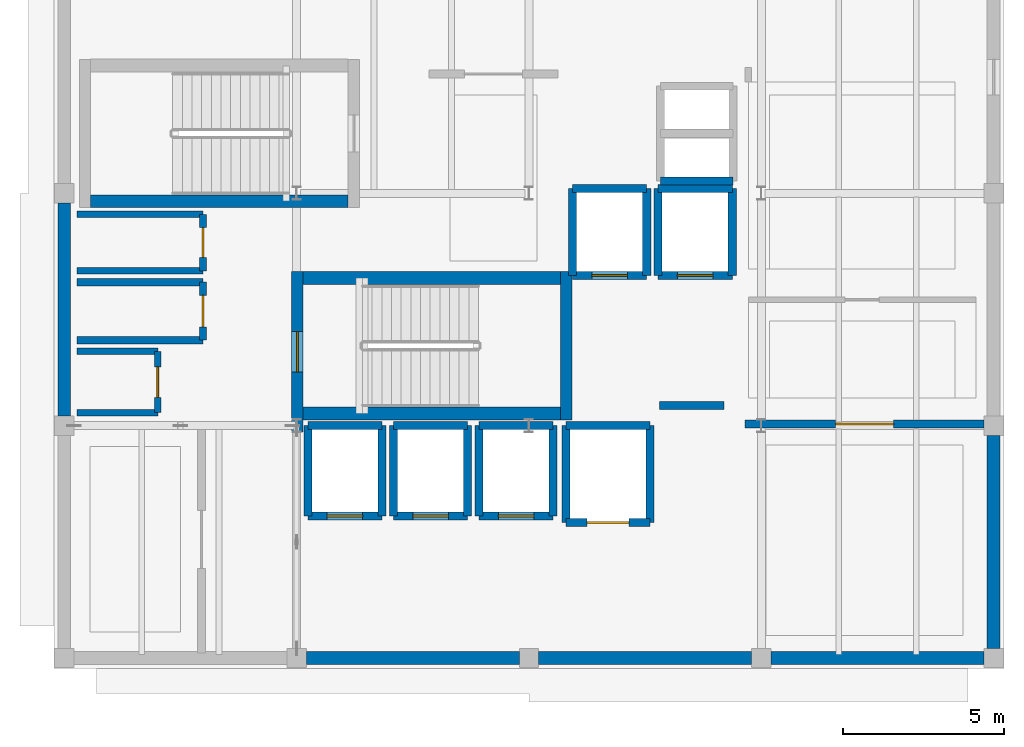
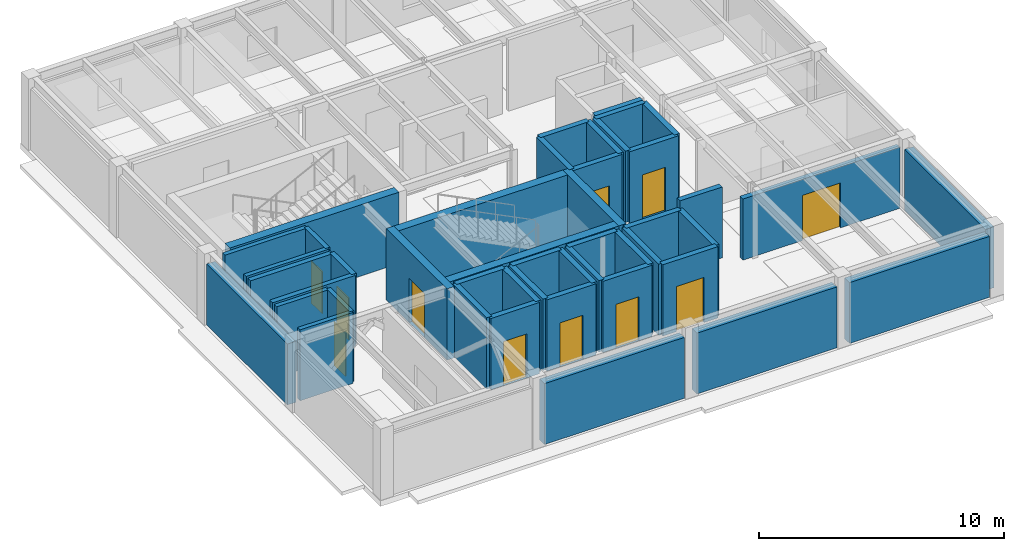
# One storey, part 4 of 8: 46 walls, 11 doors, 11 openings.
"""IFC4 building model written with IfcOpenShell, lengths in metres."""

from ifc_helpers import new_model, si_unit, direction, frame, frame_2d, origin, place, context, subcontext, project, spatial, rectangle, extrude, material, layer, layer_set, type_object, element, fill, save


model = new_model("IFC4")

# Units and contexts
model_context = context("Model", 3, precision=1e-05, world=origin(), true_north=direction((0.0, 1.0)))
body_context = subcontext(model_context, "Body", "Model", "MODEL_VIEW")
ifc_project = project(units=[si_unit("LENGTHUNIT", "METRE"), si_unit("AREAUNIT", "SQUARE_METRE"), si_unit("VOLUMEUNIT", "CUBIC_METRE"), si_unit("PLANEANGLEUNIT", "RADIAN"), si_unit("MASSUNIT", "GRAM", prefix="KILO")], contexts=[model_context])

# Site, building, storey
site_placement = place(None, origin())
site = spatial("IfcSite", under=ifc_project, at=site_placement, CompositionType="ELEMENT")
building_placement = place(site_placement, origin())
building = spatial("IfcBuilding", under=site, at=building_placement, Name="Kandorven Conservatory and Botanical Research Centre", CompositionType="ELEMENT")
storey_placement = place(building_placement, frame((0.0, 0.0, 32.699951171875)))
storey = spatial("IfcBuildingStorey", under=building, at=storey_placement, Name="L08", CompositionType="ELEMENT", Elevation=32.699951171875)

# Walls
ifc_material_1 = material(Name="Concrete C40/50 (M50)", Category="concrete")
ifc_layer_1 = layer(ifc_material_1, 0.39990234375)
ifc_layer_set_1 = layer_set([ifc_layer_1], Name="Concrete C40/50 (M50)")
wall_type_1 = type_object("IfcWallType", Name="Wall_CW-RC-1", PredefinedType="SHEAR", material=ifc_layer_set_1)
for number, where, z_axis, x_axis, name in (
    (1, (13.39990234375, 13.574951171875, 0.0), (0.0, 0.0, 1.0), (1.0, 0.0, 0.0), "Core stair shear wall CW-RC-1 ST-T1 L08 side A"),
    (2, (13.39990234375, 17.77490234375, 0.0), (0.0, 0.0, 1.0), (1.0, 0.0, 0.0), "Core stair shear wall CW-RC-1 ST-T1 L08 side B"),
    (3, (14.800048828125, 20.155029296875, 0.0), (0.0, 0.0, 1.0), (-1.0, 0.0, 0.0), "Core stair shear wall CW-RC-1 ST-T2 L08 side B"),
):
    element("IfcWall", number, at=place(storey_placement, frame(where, z_axis=z_axis, x_axis=x_axis)), inside=storey, type_object=wall_type_1, Name=name, PredefinedType="SHEAR", context=body_context, shape_type="SweptSolid", body=[
        extrude(rectangle(XDim=7.97998046875, YDim=0.39990234375, at=frame_2d((3.989990234375, 0.0))), origin(), (0.0, 0.0, 1.0), 3.56005859375),
    ])

# Wall, opening, door
ifc_material_2 = material(Name="Concrete C40/50 (M50)", Category="concrete")
ifc_layer_2 = layer(ifc_material_2, 0.35009765625)
ifc_layer_set_2 = layer_set([ifc_layer_2], Name="Concrete C40/50 (M50)")
wall_type_2 = type_object("IfcWallType", Name="Wall_CW-RC-2", PredefinedType="SHEAR", material=ifc_layer_set_2)
wall_1_placement = place(storey_placement, frame((13.22509765625, 13.0, 0.0), z_axis=(0.0, 0.0, 1.0), x_axis=(0.0, 1.0, 0.0)))
wall_1 = element("IfcWall", 4, at=wall_1_placement, inside=storey, type_object=wall_type_2, Name="Core stair shear wall CW-RC-2 ST-T1 L08 entry", PredefinedType="SHEAR", context=body_context, shape_type="SweptSolid", body=[
    extrude(rectangle(XDim=4.969970703125, YDim=0.35009765625, at=frame_2d((2.48486328125, 0.0))), origin(), (0.0, 0.0, 1.0), 3.56005859375),
])
opening_1_placement = place(wall_1_placement, frame((1.860107421875, 0.0, 0.0)))
opening_1 = element("IfcOpeningElement", 5, at=opening_1_placement, cuts=wall_1, Name="Opening FD-1", PredefinedType="OPENING", context=body_context, shape_type="SweptSolid", body=[
    extrude(rectangle(XDim=1.25, YDim=2.199951171875, at=frame_2d((0.625, 1.10009765625))), frame((0.0, 0.18505859375, 0.0), z_axis=(0.0, -1.0, 0.0), x_axis=(1.0, 0.0, 0.0)), (0.0, 0.0, 1.0), 0.3701171875),
])
ifc_material_3 = material(Name="Galvanised hollow steel fire door assembly", Category="steel")
door_type_1 = type_object("IfcDoorType", Name="Door_FD-1", OperationType="NOTDEFINED", PredefinedType="DOOR", material=ifc_material_3)
door_1_placement = place(opening_1_placement, origin())
door_1 = element("IfcDoor", 6, at=door_1_placement, inside=storey, type_object=door_type_1, Name="Exit stair fire door FD-1 ST-T1 L08", OperationType="SINGLE_SWING_LEFT", OverallHeight=2.199951171875, OverallWidth=1.25, PredefinedType="DOOR", context=body_context, shape_type="SweptSolid", body=[
    extrude(rectangle(XDim=1.25, YDim=2.199951171875, at=frame_2d((0.625, 1.10009765625))), frame((0.0, 0.02490234375, 0.0), z_axis=(0.0, -1.0, 0.0), x_axis=(1.0, 0.0, 0.0)), (0.0, 0.0, 1.0), 0.050048828125),
])
fill(opening_1, door_1)

# Wall
wall_2_placement = place(storey_placement, frame((21.554931640625, 13.3798828125, 0.0), z_axis=(0.0, 0.0, 1.0), x_axis=(0.0, 1.0, 0.0)))
element("IfcWall", 7, at=wall_2_placement, inside=storey, type_object=wall_type_2, Name="Core stair shear wall CW-RC-2 ST-T1 L08 far", PredefinedType="SHEAR", context=body_context, shape_type="SweptSolid", body=[
    extrude(rectangle(XDim=4.590087890625, YDim=0.35009765625, at=frame_2d((2.294921875, 0.0))), origin(), (0.0, 0.0, 1.0), 3.56005859375),
])

# Wall, opening, door
wall_3_placement = place(storey_placement, frame((21.75, 17.85009765625, 0.0), z_axis=(0.0, 0.0, 1.0), x_axis=(1.0, 0.0, 0.0)))
wall_3 = element("IfcWall", 8, at=wall_3_placement, inside=storey, type_object=wall_type_2, Name="Lift shaft wall FFL-1 L08 S", PredefinedType="SHEAR", context=body_context, shape_type="SweptSolid", body=[
    extrude(rectangle(XDim=2.300048828125, YDim=0.25, at=frame_2d((1.14990234375, 0.0))), origin(), (0.0, 0.0, 1.0), 3.56005859375),
])
opening_2_placement = place(wall_3_placement, frame((0.60009765625, 0.0, 0.0)))
opening_2 = element("IfcOpeningElement", 9, at=opening_2_placement, cuts=wall_3, Name="Opening LD-01", PredefinedType="OPENING", context=body_context, shape_type="SweptSolid", body=[
    extrude(rectangle(XDim=1.10009765625, YDim=2.199951171875, at=frame_2d((0.550048828125, 1.10009765625))), frame((0.0, 0.135009765625, 0.0), z_axis=(0.0, -1.0, 0.0), x_axis=(1.0, 0.0, 0.0)), (0.0, 0.0, 1.0), 0.27001953125),
])
ifc_material_4 = material(Name="Anodised aluminium sliding landing door", Category="aluminium")
door_type_2 = type_object("IfcDoorType", Name="Door_LD-01", OperationType="DOUBLE_DOOR_SLIDING", PredefinedType="DOOR", material=ifc_material_4)
door_2_placement = place(opening_2_placement, origin())
door_2 = element("IfcDoor", 10, at=door_2_placement, inside=storey, type_object=door_type_2, Name="Lift landing sliding door LD-01 (FFL-1 L08)", OperationType="DOUBLE_DOOR_SLIDING", OverallHeight=2.199951171875, OverallWidth=1.10009765625, PredefinedType="DOOR", context=body_context, shape_type="SweptSolid", body=[
    extrude(rectangle(XDim=1.10009765625, YDim=2.199951171875, at=frame_2d((0.550048828125, 1.10009765625))), frame((0.0, 0.02490234375, 0.0), z_axis=(0.0, -1.0, 0.0), x_axis=(1.0, 0.0, 0.0)), (0.0, 0.0, 1.0), 0.050048828125),
])
fill(opening_2, door_2)

# Walls
wall_4_placement = place(storey_placement, frame((21.75, 20.550048828125, 0.0), z_axis=(0.0, 0.0, 1.0), x_axis=(1.0, 0.0, 0.0)))
element("IfcWall", 11, at=wall_4_placement, inside=storey, type_object=wall_type_2, Name="Lift shaft wall FFL-1 L08 N", PredefinedType="SHEAR", context=body_context, shape_type="SweptSolid", body=[
    extrude(rectangle(XDim=2.300048828125, YDim=0.25, at=frame_2d((1.14990234375, 0.0))), origin(), (0.0, 0.0, 1.0), 3.56005859375),
])
for number, where, z_axis, x_axis, name in (
    (12, (21.75, 17.85009765625, 0.0), (0.0, 0.0, 1.0), (0.0, 1.0, 0.0), "Lift shaft wall FFL-1 L08 W"),
    (13, (24.050048828125, 17.85009765625, 0.0), (0.0, 0.0, 1.0), (0.0, 1.0, 0.0), "Lift shaft wall FFL-1 L08 E"),
):
    element("IfcWall", number, at=place(storey_placement, frame(where, z_axis=z_axis, x_axis=x_axis)), inside=storey, type_object=wall_type_2, Name=name, PredefinedType="SHEAR", context=body_context, shape_type="SweptSolid", body=[
        extrude(rectangle(XDim=2.699951171875, YDim=0.25, at=frame_2d((1.35009765625, 0.0))), origin(), (0.0, 0.0, 1.0), 3.56005859375),
    ])

# Wall, opening, door
wall_5_placement = place(storey_placement, frame((24.39990234375, 17.85009765625, 0.0), z_axis=(0.0, 0.0, 1.0), x_axis=(1.0, 0.0, 0.0)))
wall_5 = element("IfcWall", 14, at=wall_5_placement, inside=storey, type_object=wall_type_2, Name="Lift shaft wall FFL-2 L08 S", PredefinedType="SHEAR", context=body_context, shape_type="SweptSolid", body=[
    extrude(rectangle(XDim=2.300048828125, YDim=0.25, at=frame_2d((1.14990234375, 0.0))), origin(), (0.0, 0.0, 1.0), 3.56005859375),
])
opening_3_placement = place(wall_5_placement, frame((0.60009765625, 0.0, 0.0)))
opening_3 = element("IfcOpeningElement", 15, at=opening_3_placement, cuts=wall_5, Name="Opening LD-01", PredefinedType="OPENING", context=body_context, shape_type="SweptSolid", body=[
    extrude(rectangle(XDim=1.10009765625, YDim=2.199951171875, at=frame_2d((0.550048828125, 1.10009765625))), frame((0.0, 0.135009765625, 0.0), z_axis=(0.0, -1.0, 0.0), x_axis=(1.0, 0.0, 0.0)), (0.0, 0.0, 1.0), 0.27001953125),
])
door_3_placement = place(opening_3_placement, origin())
door_3 = element("IfcDoor", 16, at=door_3_placement, inside=storey, type_object=door_type_2, Name="Lift landing sliding door LD-01 (FFL-2 L08)", OperationType="DOUBLE_DOOR_SLIDING", OverallHeight=2.199951171875, OverallWidth=1.10009765625, PredefinedType="DOOR", context=body_context, shape_type="SweptSolid", body=[
    extrude(rectangle(XDim=1.10009765625, YDim=2.199951171875, at=frame_2d((0.550048828125, 1.10009765625))), frame((0.0, 0.02490234375, 0.0), z_axis=(0.0, -1.0, 0.0), x_axis=(1.0, 0.0, 0.0)), (0.0, 0.0, 1.0), 0.050048828125),
])
fill(opening_3, door_3)

# Walls
wall_6_placement = place(storey_placement, frame((24.39990234375, 20.550048828125, 0.0), z_axis=(0.0, 0.0, 1.0), x_axis=(1.0, 0.0, 0.0)))
element("IfcWall", 17, at=wall_6_placement, inside=storey, type_object=wall_type_2, Name="Lift shaft wall FFL-2 L08 N", PredefinedType="SHEAR", context=body_context, shape_type="SweptSolid", body=[
    extrude(rectangle(XDim=2.300048828125, YDim=0.25, at=frame_2d((1.14990234375, 0.0))), origin(), (0.0, 0.0, 1.0), 3.56005859375),
])
for number, where, z_axis, x_axis, name in (
    (18, (24.39990234375, 17.85009765625, 0.0), (0.0, 0.0, 1.0), (0.0, 1.0, 0.0), "Lift shaft wall FFL-2 L08 W"),
    (19, (26.699951171875, 17.85009765625, 0.0), (0.0, 0.0, 1.0), (0.0, 1.0, 0.0), "Lift shaft wall FFL-2 L08 E"),
):
    element("IfcWall", number, at=place(storey_placement, frame(where, z_axis=z_axis, x_axis=x_axis)), inside=storey, type_object=wall_type_2, Name=name, PredefinedType="SHEAR", context=body_context, shape_type="SweptSolid", body=[
        extrude(rectangle(XDim=2.699951171875, YDim=0.25, at=frame_2d((1.35009765625, 0.0))), origin(), (0.0, 0.0, 1.0), 3.56005859375),
    ])

# Wall, opening, door
wall_7_placement = place(storey_placement, frame((13.550048828125, 10.39990234375, 0.0), z_axis=(0.0, 0.0, 1.0), x_axis=(1.0, 0.0, 0.0)))
wall_7 = element("IfcWall", 20, at=wall_7_placement, inside=storey, type_object=wall_type_2, Name="Lift shaft wall PL-1 L08 S", PredefinedType="SHEAR", context=body_context, shape_type="SweptSolid", body=[
    extrude(rectangle(XDim=2.300048828125, YDim=0.25, at=frame_2d((1.14990234375, 0.0))), origin(), (0.0, 0.0, 1.0), 3.56005859375),
])
opening_4_placement = place(wall_7_placement, frame((0.60009765625, 0.0, 0.0)))
opening_4 = element("IfcOpeningElement", 21, at=opening_4_placement, cuts=wall_7, Name="Opening LD-01", PredefinedType="OPENING", context=body_context, shape_type="SweptSolid", body=[
    extrude(rectangle(XDim=1.10009765625, YDim=2.199951171875, at=frame_2d((0.550048828125, 1.10009765625))), frame((0.0, 0.135009765625, 0.0), z_axis=(0.0, -1.0, 0.0), x_axis=(1.0, 0.0, 0.0)), (0.0, 0.0, 1.0), 0.27001953125),
])
door_4_placement = place(opening_4_placement, origin())
door_4 = element("IfcDoor", 22, at=door_4_placement, inside=storey, type_object=door_type_2, Name="Lift landing sliding door LD-01 (PL-1 L08)", OperationType="DOUBLE_DOOR_SLIDING", OverallHeight=2.199951171875, OverallWidth=1.10009765625, PredefinedType="DOOR", context=body_context, shape_type="SweptSolid", body=[
    extrude(rectangle(XDim=1.10009765625, YDim=2.199951171875, at=frame_2d((0.550048828125, 1.10009765625))), frame((0.0, 0.02490234375, 0.0), z_axis=(0.0, -1.0, 0.0), x_axis=(1.0, 0.0, 0.0)), (0.0, 0.0, 1.0), 0.050048828125),
])
fill(opening_4, door_4)

# Walls
wall_8_placement = place(storey_placement, frame((13.550048828125, 13.199951171875, 0.0), z_axis=(0.0, 0.0, 1.0), x_axis=(1.0, 0.0, 0.0)))
element("IfcWall", 23, at=wall_8_placement, inside=storey, type_object=wall_type_2, Name="Lift shaft wall PL-1 L08 N", PredefinedType="SHEAR", context=body_context, shape_type="SweptSolid", body=[
    extrude(rectangle(XDim=2.300048828125, YDim=0.25, at=frame_2d((1.14990234375, 0.0))), origin(), (0.0, 0.0, 1.0), 3.56005859375),
])
for number, where, z_axis, x_axis, name in (
    (24, (13.550048828125, 10.39990234375, 0.0), (0.0, 0.0, 1.0), (0.0, 1.0, 0.0), "Lift shaft wall PL-1 L08 W"),
    (25, (15.85009765625, 10.39990234375, 0.0), (0.0, 0.0, 1.0), (0.0, 1.0, 0.0), "Lift shaft wall PL-1 L08 E"),
):
    element("IfcWall", number, at=place(storey_placement, frame(where, z_axis=z_axis, x_axis=x_axis)), inside=storey, type_object=wall_type_2, Name=name, PredefinedType="SHEAR", context=body_context, shape_type="SweptSolid", body=[
        extrude(rectangle(XDim=2.800048828125, YDim=0.25, at=frame_2d((1.39990234375, 0.0))), origin(), (0.0, 0.0, 1.0), 3.56005859375),
    ])

# Wall, opening, door
wall_9_placement = place(storey_placement, frame((16.199951171875, 10.39990234375, 0.0), z_axis=(0.0, 0.0, 1.0), x_axis=(1.0, 0.0, 0.0)))
wall_9 = element("IfcWall", 26, at=wall_9_placement, inside=storey, type_object=wall_type_2, Name="Lift shaft wall PL-2 L08 S", PredefinedType="SHEAR", context=body_context, shape_type="SweptSolid", body=[
    extrude(rectangle(XDim=2.300048828125, YDim=0.25, at=frame_2d((1.14990234375, 0.0))), origin(), (0.0, 0.0, 1.0), 3.56005859375),
])
opening_5_placement = place(wall_9_placement, frame((0.60009765625, 0.0, 0.0)))
opening_5 = element("IfcOpeningElement", 27, at=opening_5_placement, cuts=wall_9, Name="Opening LD-01", PredefinedType="OPENING", context=body_context, shape_type="SweptSolid", body=[
    extrude(rectangle(XDim=1.10009765625, YDim=2.199951171875, at=frame_2d((0.550048828125, 1.10009765625))), frame((0.0, 0.135009765625, 0.0), z_axis=(0.0, -1.0, 0.0), x_axis=(1.0, 0.0, 0.0)), (0.0, 0.0, 1.0), 0.27001953125),
])
door_5_placement = place(opening_5_placement, origin())
door_5 = element("IfcDoor", 28, at=door_5_placement, inside=storey, type_object=door_type_2, Name="Lift landing sliding door LD-01 (PL-2 L08)", OperationType="DOUBLE_DOOR_SLIDING", OverallHeight=2.199951171875, OverallWidth=1.10009765625, PredefinedType="DOOR", context=body_context, shape_type="SweptSolid", body=[
    extrude(rectangle(XDim=1.10009765625, YDim=2.199951171875, at=frame_2d((0.550048828125, 1.10009765625))), frame((0.0, 0.02490234375, 0.0), z_axis=(0.0, -1.0, 0.0), x_axis=(1.0, 0.0, 0.0)), (0.0, 0.0, 1.0), 0.050048828125),
])
fill(opening_5, door_5)

# Walls
wall_10_placement = place(storey_placement, frame((16.199951171875, 13.199951171875, 0.0), z_axis=(0.0, 0.0, 1.0), x_axis=(1.0, 0.0, 0.0)))
element("IfcWall", 29, at=wall_10_placement, inside=storey, type_object=wall_type_2, Name="Lift shaft wall PL-2 L08 N", PredefinedType="SHEAR", context=body_context, shape_type="SweptSolid", body=[
    extrude(rectangle(XDim=2.300048828125, YDim=0.25, at=frame_2d((1.14990234375, 0.0))), origin(), (0.0, 0.0, 1.0), 3.56005859375),
])
for number, where, z_axis, x_axis, name in (
    (30, (16.199951171875, 10.39990234375, 0.0), (0.0, 0.0, 1.0), (0.0, 1.0, 0.0), "Lift shaft wall PL-2 L08 W"),
    (31, (18.5, 10.39990234375, 0.0), (0.0, 0.0, 1.0), (0.0, 1.0, 0.0), "Lift shaft wall PL-2 L08 E"),
):
    element("IfcWall", number, at=place(storey_placement, frame(where, z_axis=z_axis, x_axis=x_axis)), inside=storey, type_object=wall_type_2, Name=name, PredefinedType="SHEAR", context=body_context, shape_type="SweptSolid", body=[
        extrude(rectangle(XDim=2.800048828125, YDim=0.25, at=frame_2d((1.39990234375, 0.0))), origin(), (0.0, 0.0, 1.0), 3.56005859375),
    ])

# Wall, opening, door
wall_11_placement = place(storey_placement, frame((18.85009765625, 10.39990234375, 0.0), z_axis=(0.0, 0.0, 1.0), x_axis=(1.0, 0.0, 0.0)))
wall_11 = element("IfcWall", 32, at=wall_11_placement, inside=storey, type_object=wall_type_2, Name="Lift shaft wall PL-3 L08 S", PredefinedType="SHEAR", context=body_context, shape_type="SweptSolid", body=[
    extrude(rectangle(XDim=2.2998046875, YDim=0.25, at=frame_2d((1.14990234375, 0.0))), origin(), (0.0, 0.0, 1.0), 3.56005859375),
])
opening_6_placement = place(wall_11_placement, frame((0.60009765625, 0.0, 0.0)))
opening_6 = element("IfcOpeningElement", 33, at=opening_6_placement, cuts=wall_11, Name="Opening LD-01", PredefinedType="OPENING", context=body_context, shape_type="SweptSolid", body=[
    extrude(rectangle(XDim=1.10009765625, YDim=2.199951171875, at=frame_2d((0.550048828125, 1.10009765625))), frame((0.0, 0.135009765625, 0.0), z_axis=(0.0, -1.0, 0.0), x_axis=(1.0, 0.0, 0.0)), (0.0, 0.0, 1.0), 0.27001953125),
])
door_6_placement = place(opening_6_placement, origin())
door_6 = element("IfcDoor", 34, at=door_6_placement, inside=storey, type_object=door_type_2, Name="Lift landing sliding door LD-01 (PL-3 L08)", OperationType="DOUBLE_DOOR_SLIDING", OverallHeight=2.199951171875, OverallWidth=1.10009765625, PredefinedType="DOOR", context=body_context, shape_type="SweptSolid", body=[
    extrude(rectangle(XDim=1.10009765625, YDim=2.199951171875, at=frame_2d((0.550048828125, 1.10009765625))), frame((0.0, 0.02490234375, 0.0), z_axis=(0.0, -1.0, 0.0), x_axis=(1.0, 0.0, 0.0)), (0.0, 0.0, 1.0), 0.050048828125),
])
fill(opening_6, door_6)

# Walls
wall_12_placement = place(storey_placement, frame((18.85009765625, 13.199951171875, 0.0), z_axis=(0.0, 0.0, 1.0), x_axis=(1.0, 0.0, 0.0)))
element("IfcWall", 35, at=wall_12_placement, inside=storey, type_object=wall_type_2, Name="Lift shaft wall PL-3 L08 N", PredefinedType="SHEAR", context=body_context, shape_type="SweptSolid", body=[
    extrude(rectangle(XDim=2.2998046875, YDim=0.25, at=frame_2d((1.14990234375, 0.0))), origin(), (0.0, 0.0, 1.0), 3.56005859375),
])
for number, where, z_axis, x_axis, name in (
    (36, (18.85009765625, 10.39990234375, 0.0), (0.0, 0.0, 1.0), (0.0, 1.0, 0.0), "Lift shaft wall PL-3 L08 W"),
    (37, (21.14990234375, 10.39990234375, 0.0), (0.0, 0.0, 1.0), (0.0, 1.0, 0.0), "Lift shaft wall PL-3 L08 E"),
):
    element("IfcWall", number, at=place(storey_placement, frame(where, z_axis=z_axis, x_axis=x_axis)), inside=storey, type_object=wall_type_2, Name=name, PredefinedType="SHEAR", context=body_context, shape_type="SweptSolid", body=[
        extrude(rectangle(XDim=2.800048828125, YDim=0.25, at=frame_2d((1.39990234375, 0.0))), origin(), (0.0, 0.0, 1.0), 3.56005859375),
    ])

# Wall, opening, door
wall_13_placement = place(storey_placement, frame((21.550048828125, 10.199951171875, 0.0), z_axis=(0.0, 0.0, 1.0), x_axis=(1.0, 0.0, 0.0)))
wall_13 = element("IfcWall", 38, at=wall_13_placement, inside=storey, type_object=wall_type_2, Name="Lift shaft wall GL-1 L08 S", PredefinedType="SHEAR", context=body_context, shape_type="SweptSolid", body=[
    extrude(rectangle(XDim=2.599853515625, YDim=0.25, at=frame_2d((1.2998046875, 0.0))), origin(), (0.0, 0.0, 1.0), 3.56005859375),
])
opening_7_placement = place(wall_13_placement, frame((0.64990234375, 0.0, 0.0)))
opening_7 = element("IfcOpeningElement", 39, at=opening_7_placement, cuts=wall_13, Name="Opening LD-02", PredefinedType="OPENING", context=body_context, shape_type="SweptSolid", body=[
    extrude(rectangle(XDim=1.300048828125, YDim=2.25, at=frame_2d((0.64990234375, 1.125))), frame((0.0, 0.135009765625, 0.0), z_axis=(0.0, -1.0, 0.0), x_axis=(1.0, 0.0, 0.0)), (0.0, 0.0, 1.0), 0.27001953125),
])
ifc_material_5 = material(Name="Anodised aluminium sliding landing door", Category="aluminium")
door_type_3 = type_object("IfcDoorType", Name="Door_LD-02", OperationType="DOUBLE_DOOR_SLIDING", PredefinedType="DOOR", material=ifc_material_5)
door_7_placement = place(opening_7_placement, origin())
door_7 = element("IfcDoor", 40, at=door_7_placement, inside=storey, type_object=door_type_3, Name="Lift landing sliding door LD-02 (GL-1 L08)", OperationType="DOUBLE_DOOR_SLIDING", OverallHeight=2.25, OverallWidth=1.300048828125, PredefinedType="DOOR", context=body_context, shape_type="SweptSolid", body=[
    extrude(rectangle(XDim=1.300048828125, YDim=2.25, at=frame_2d((0.64990234375, 1.125))), frame((0.0, 0.02490234375, 0.0), z_axis=(0.0, -1.0, 0.0), x_axis=(1.0, 0.0, 0.0)), (0.0, 0.0, 1.0), 0.050048828125),
])
fill(opening_7, door_7)

# Walls
wall_14_placement = place(storey_placement, frame((21.550048828125, 13.199951171875, 0.0), z_axis=(0.0, 0.0, 1.0), x_axis=(1.0, 0.0, 0.0)))
element("IfcWall", 41, at=wall_14_placement, inside=storey, type_object=wall_type_2, Name="Lift shaft wall GL-1 L08 N", PredefinedType="SHEAR", context=body_context, shape_type="SweptSolid", body=[
    extrude(rectangle(XDim=2.599853515625, YDim=0.25, at=frame_2d((1.2998046875, 0.0))), origin(), (0.0, 0.0, 1.0), 3.56005859375),
])
for number, where, z_axis, x_axis, name in (
    (42, (21.550048828125, 10.199951171875, 0.0), (0.0, 0.0, 1.0), (0.0, 1.0, 0.0), "Lift shaft wall GL-1 L08 W"),
    (43, (24.14990234375, 10.199951171875, 0.0), (0.0, 0.0, 1.0), (0.0, 1.0, 0.0), "Lift shaft wall GL-1 L08 E"),
):
    element("IfcWall", number, at=place(storey_placement, frame(where, z_axis=z_axis, x_axis=x_axis)), inside=storey, type_object=wall_type_2, Name=name, PredefinedType="SHEAR", context=body_context, shape_type="SweptSolid", body=[
        extrude(rectangle(XDim=3.0, YDim=0.25, at=frame_2d((1.5, 0.0))), origin(), (0.0, 0.0, 1.0), 3.56005859375),
    ])
wall_15_placement = place(storey_placement, frame((24.47998046875, 20.780029296875, 0.0), z_axis=(0.0, 0.0, 1.0), x_axis=(1.0, 0.0, 0.0)))
element("IfcWall", 44, at=wall_15_placement, inside=storey, type_object=wall_type_2, Name="Core MEP riser shaft wall CW-RC-2 L08 S", PredefinedType="SHEAR", context=body_context, shape_type="SweptSolid", body=[
    extrude(rectangle(XDim=2.239990234375, YDim=0.239990234375, at=frame_2d((1.1201171875, 0.0))), origin(), (0.0, 0.0, 1.0), 3.56005859375),
])
ifc_material_6 = material(Name="Concrete C40/50 (M50)", Category="concrete")
ifc_layer_3 = layer(ifc_material_6, 0.39990234375)
ifc_layer_set_3 = layer_set([ifc_layer_3], Name="Concrete C40/50 (M50)")
wall_type_3 = type_object("IfcWallType", Name="Wall_EW-HB-01", PredefinedType="STANDARD", material=ifc_layer_set_3)
for number, where, z_axis, x_axis, name in (
    (45, (13.5, 6.0, 0.0), (0.0, 0.0, 1.0), (1.0, 0.0, 0.0), "Tower concrete facade wall EW-HB-01 S L08"),
    (46, (20.699951171875, 6.0, 0.0), (0.0, 0.0, 1.0), (1.0, 0.0, 0.0), "Tower concrete facade wall EW-HB-01 S L08"),
    (47, (27.89990234375, 6.0, 0.0), (0.0, 0.0, 1.0), (1.0, 0.0, 0.0), "Tower concrete facade wall EW-HB-01 S L08"),
    (48, (6.0, 13.5, 0.0), (0.0, 0.0, 1.0), (0.0, 1.0, 0.0), "Tower concrete facade wall EW-HB-01 W L08"),
):
    element("IfcWall", number, at=place(storey_placement, frame(where, z_axis=z_axis, x_axis=x_axis)), inside=storey, type_object=wall_type_3, Name=name, PredefinedType="STANDARD", context=body_context, shape_type="SweptSolid", body=[
        extrude(rectangle(XDim=6.60009765625, YDim=0.39990234375, at=frame_2d((3.300048828125, 0.0))), origin(), (0.0, 0.0, 1.0), 3.0400390625),
    ])
wall_16_placement = place(storey_placement, frame((34.800048828125, 6.300048828125, 0.0), z_axis=(0.0, 0.0, 1.0), x_axis=(0.0, 1.0, 0.0)))
element("IfcWall", 49, at=wall_16_placement, inside=storey, type_object=wall_type_3, Name="Tower concrete facade wall EW-HB-01 E L08", PredefinedType="STANDARD", context=body_context, shape_type="SweptSolid", body=[
    extrude(rectangle(XDim=6.599853515625, YDim=0.39990234375, at=frame_2d((3.2998046875, 0.0))), origin(), (0.0, 0.0, 1.0), 3.0400390625),
])
ifc_material_7 = material(Name="Concrete C32/40 (M40)", Category="concrete")
ifc_layer_4 = layer(ifc_material_7, 0.25)
ifc_layer_set_4 = layer_set([ifc_layer_4], Name="Concrete C32/40 (M40)")
wall_type_4 = type_object("IfcWallType", Name="Wall_IW-FR-1", PredefinedType="SOLIDWALL", material=ifc_layer_set_4)
wall_17_placement = place(storey_placement, frame((24.449951171875, 13.820068359375, 0.0), z_axis=(0.0, 0.0, 1.0), x_axis=(1.0, 0.0, 0.0)))
element("IfcWall", 50, at=wall_17_placement, inside=storey, type_object=wall_type_4, Name="Interior fire partition wall IW-FR-1 (Firefighting Lift Lobby L08)", PredefinedType="SOLIDWALL", context=body_context, shape_type="SweptSolid", body=[
    extrude(rectangle(XDim=2.0, YDim=0.25, at=frame_2d((1.0, 0.0))), origin(), (0.0, 0.0, 1.0), 3.5400390625),
])

# Wall, opening, door
wall_18_placement = place(storey_placement, frame((27.10009765625, 13.25, 0.0), z_axis=(0.0, 0.0, 1.0), x_axis=(1.0, 0.0, 0.0)))
wall_18 = element("IfcWall", 51, at=wall_18_placement, inside=storey, type_object=wall_type_4, Name="Interior fire partition wall IW-FR-1 (Herbarium Vascular Specimen Collection Vault L08)", PredefinedType="SOLIDWALL", context=body_context, shape_type="SweptSolid", body=[
    extrude(rectangle(XDim=7.39990234375, YDim=0.25, at=frame_2d((3.699951171875, 0.0))), origin(), (0.0, 0.0, 1.0), 3.050048828125),
])
opening_8_placement = place(wall_18_placement, frame((2.800048828125, 0.0, 0.0)))
opening_8 = element("IfcOpeningElement", 52, at=opening_8_placement, cuts=wall_18, Name="Opening FD-4", PredefinedType="OPENING", context=body_context, shape_type="SweptSolid", body=[
    extrude(rectangle(XDim=1.800048828125, YDim=2.25, at=frame_2d((0.89990234375, 1.125))), frame((0.0, 0.135009765625, 0.0), z_axis=(0.0, -1.0, 0.0), x_axis=(1.0, 0.0, 0.0)), (0.0, 0.0, 1.0), 0.27001953125),
])
ifc_material_8 = material(Name="Galvanised hollow steel fire door assembly", Category="steel")
door_type_4 = type_object("IfcDoorType", Name="Door_FD-4", OperationType="NOTDEFINED", PredefinedType="DOOR", material=ifc_material_8)
door_8_placement = place(opening_8_placement, origin())
door_8 = element("IfcDoor", 53, at=door_8_placement, inside=storey, type_object=door_type_4, Name="Interior door FD-4 to Herbarium Vascular Specimen Collection Vault L08", OperationType="DOUBLE_DOOR_SINGLE_SWING", OverallHeight=2.25, OverallWidth=1.800048828125, PredefinedType="DOOR", context=body_context, shape_type="SweptSolid", body=[
    extrude(rectangle(XDim=1.800048828125, YDim=2.25, at=frame_2d((0.89990234375, 1.125))), frame((0.0, 0.02490234375, 0.0), z_axis=(0.0, -1.0, 0.0), x_axis=(1.0, 0.0, 0.0)), (0.0, 0.0, 1.0), 0.050048828125),
])
fill(opening_8, door_8)

ifc_material_9 = material(Name="Autoclaved aerated concrete blockwork masonry", Category="masonry")
ifc_layer_5 = layer(ifc_material_9, 0.22998046875)
ifc_layer_set_5 = layer_set([ifc_layer_5], Name="Autoclaved aerated concrete blockwork masonry")
wall_type_5 = type_object("IfcWallType", Name="Wall_PW-PL-1", PredefinedType="PLUMBINGWALL", material=ifc_layer_set_5)
wall_19_placement = place(storey_placement, frame((10.300048828125, 15.85009765625, 0.0), z_axis=(0.0, 0.0, 1.0), x_axis=(0.0, 1.0, 0.0)))
wall_19 = element("IfcWall", 54, at=wall_19_placement, inside=storey, type_object=wall_type_5, Name="Interior partition wall PW-PL-1 (Staff Female WC L08)", PredefinedType="PLUMBINGWALL", context=body_context, shape_type="SweptSolid", body=[
    extrude(rectangle(XDim=1.7998046875, YDim=0.22998046875, at=frame_2d((0.89990234375, 0.0))), origin(), (0.0, 0.0, 1.0), 3.5400390625),
])
opening_9_placement = place(wall_19_placement, frame((0.409912109375, 0.0, 0.0)))
opening_9 = element("IfcOpeningElement", 55, at=opening_9_placement, cuts=wall_19, Name="Opening D-12", PredefinedType="OPENING", context=body_context, shape_type="SweptSolid", body=[
    extrude(rectangle(XDim=0.97998046875, YDim=2.10009765625, at=frame_2d((0.489990234375, 1.050048828125))), frame((0.0, 0.125, 0.0), z_axis=(0.0, -1.0, 0.0), x_axis=(1.0, 0.0, 0.0)), (0.0, 0.0, 1.0), 0.25),
])
ifc_material_10 = material(Name="Solid core acoustic teak-veneered timber leaf", Category="wood")
door_type_5 = type_object("IfcDoorType", Name="Door_D-12", OperationType="NOTDEFINED", PredefinedType="DOOR", material=ifc_material_10)
door_9_placement = place(opening_9_placement, origin())
door_9 = element("IfcDoor", 56, at=door_9_placement, inside=storey, type_object=door_type_5, Name="Interior door D-12 to Staff Female WC L08", OperationType="SINGLE_SWING_RIGHT", OverallHeight=2.10009765625, OverallWidth=0.97998046875, PredefinedType="DOOR", context=body_context, shape_type="SweptSolid", body=[
    extrude(rectangle(XDim=0.97998046875, YDim=2.10009765625, at=frame_2d((0.489990234375, 1.050048828125))), frame((0.0, 0.02490234375, 0.0), z_axis=(0.0, -1.0, 0.0), x_axis=(1.0, 0.0, 0.0)), (0.0, 0.0, 1.0), 0.050048828125),
])
fill(opening_9, door_9)

# Walls
for number, where, z_axis, x_axis, name in (
    (57, (6.39990234375, 15.85009765625, 0.0), (0.0, 0.0, 1.0), (1.0, 0.0, 0.0), "Sanitary enclosure wall PW-PL-1 (Staff Female WC L08 S)"),
    (58, (6.39990234375, 17.64990234375, 0.0), (0.0, 0.0, 1.0), (1.0, 0.0, 0.0), "Sanitary enclosure wall PW-PL-1 (Staff Female WC L08 N)"),
):
    element("IfcWall", number, at=place(storey_placement, frame(where, z_axis=z_axis, x_axis=x_axis)), inside=storey, type_object=wall_type_5, Name=name, PredefinedType="PLUMBINGWALL", context=body_context, shape_type="SweptSolid", body=[
        extrude(rectangle(XDim=3.900146484375, YDim=0.22998046875, at=frame_2d((1.9501953125, 0.0))), origin(), (0.0, 0.0, 1.0), 3.5400390625),
    ])

# Wall, opening, door
ifc_material_11 = material(Name="Autoclaved aerated concrete blockwork masonry", Category="masonry")
ifc_layer_6 = layer(ifc_material_11, 0.205078125)
ifc_layer_set_6 = layer_set([ifc_layer_6], Name="Autoclaved aerated concrete blockwork masonry")
wall_type_6 = type_object("IfcWallType", Name="Wall_PW-PL-2", PredefinedType="PLUMBINGWALL", material=ifc_layer_set_6)
wall_20_placement = place(storey_placement, frame((8.89990234375, 13.60009765625, 0.0), z_axis=(0.0, 0.0, 1.0), x_axis=(0.0, 1.0, 0.0)))
wall_20 = element("IfcWall", 59, at=wall_20_placement, inside=storey, type_object=wall_type_6, Name="Interior partition wall PW-PL-2 (Accessible WC L08)", PredefinedType="PLUMBINGWALL", context=body_context, shape_type="SweptSolid", body=[
    extrude(rectangle(XDim=1.89990234375, YDim=0.205078125, at=frame_2d((0.949951171875, 0.0))), origin(), (0.0, 0.0, 1.0), 3.5400390625),
])
opening_10_placement = place(wall_20_placement, frame((0.47509765625, 0.0, 0.0)))
opening_10 = element("IfcOpeningElement", 60, at=opening_10_placement, cuts=wall_20, Name="Opening D-01", PredefinedType="OPENING", context=body_context, shape_type="SweptSolid", body=[
    extrude(rectangle(XDim=0.949951171875, YDim=2.14990234375, at=frame_2d((0.47509765625, 1.074951171875))), frame((0.0, 0.112548828125, 0.0), z_axis=(0.0, -1.0, 0.0), x_axis=(1.0, 0.0, 0.0)), (0.0, 0.0, 1.0), 0.22509765625),
])
ifc_material_12 = material(Name="Solid core acoustic teak-veneered timber leaf", Category="wood")
door_type_6 = type_object("IfcDoorType", Name="Door_D-01", OperationType="NOTDEFINED", PredefinedType="DOOR", material=ifc_material_12)
door_10_placement = place(opening_10_placement, frame((0.949951171875, 0.0, 0.0), z_axis=(0.0, 0.0, 1.0), x_axis=(-1.0, 0.0, 0.0)))
door_10 = element("IfcDoor", 61, at=door_10_placement, inside=storey, type_object=door_type_6, Name="Interior door D-01 to Accessible WC L08", OperationType="SINGLE_SWING_LEFT", OverallHeight=2.14990234375, OverallWidth=0.949951171875, PredefinedType="DOOR", context=body_context, shape_type="SweptSolid", body=[
    extrude(rectangle(XDim=0.949951171875, YDim=2.14990234375, at=frame_2d((0.47509765625, 1.074951171875))), frame((0.0, 0.02490234375, 0.0), z_axis=(0.0, -1.0, 0.0), x_axis=(1.0, 0.0, 0.0)), (0.0, 0.0, 1.0), 0.050048828125),
])
fill(opening_10, door_10)

# Walls
for number, where, z_axis, x_axis, name in (
    (62, (6.39990234375, 13.60009765625, 0.0), (0.0, 0.0, 1.0), (1.0, 0.0, 0.0), "Sanitary enclosure wall PW-PL-2 (Accessible WC L08 S)"),
    (63, (6.39990234375, 15.5, 0.0), (0.0, 0.0, 1.0), (1.0, 0.0, 0.0), "Sanitary enclosure wall PW-PL-2 (Accessible WC L08 N)"),
):
    element("IfcWall", number, at=place(storey_placement, frame(where, z_axis=z_axis, x_axis=x_axis)), inside=storey, type_object=wall_type_6, Name=name, PredefinedType="PLUMBINGWALL", context=body_context, shape_type="SweptSolid", body=[
        extrude(rectangle(XDim=2.5, YDim=0.205078125, at=frame_2d((1.25, 0.0))), origin(), (0.0, 0.0, 1.0), 3.5400390625),
    ])

# Wall, opening, door
wall_21_placement = place(storey_placement, frame((10.300048828125, 18.0, 0.0), z_axis=(0.0, 0.0, 1.0), x_axis=(0.0, 1.0, 0.0)))
wall_21 = element("IfcWall", 64, at=wall_21_placement, inside=storey, type_object=wall_type_6, Name="Interior partition wall PW-PL-2 (Staff Male WC L08)", PredefinedType="PLUMBINGWALL", context=body_context, shape_type="SweptSolid", body=[
    extrude(rectangle(XDim=1.75, YDim=0.205078125, at=frame_2d((0.875, 0.0))), origin(), (0.0, 0.0, 1.0), 3.5400390625),
])
opening_11_placement = place(wall_21_placement, frame((0.4150390625, 0.0, 0.0)))
opening_11 = element("IfcOpeningElement", 65, at=opening_11_placement, cuts=wall_21, Name="Opening D-11", PredefinedType="OPENING", context=body_context, shape_type="SweptSolid", body=[
    extrude(rectangle(XDim=0.919921875, YDim=2.10009765625, at=frame_2d((0.4599609375, 1.050048828125))), frame((0.0, 0.112548828125, 0.0), z_axis=(0.0, -1.0, 0.0), x_axis=(1.0, 0.0, 0.0)), (0.0, 0.0, 1.0), 0.22509765625),
])
ifc_material_13 = material(Name="Solid core acoustic teak-veneered timber leaf", Category="wood")
door_type_7 = type_object("IfcDoorType", Name="Door_D-11", OperationType="NOTDEFINED", PredefinedType="DOOR", material=ifc_material_13)
door_11_placement = place(opening_11_placement, origin())
door_11 = element("IfcDoor", 66, at=door_11_placement, inside=storey, type_object=door_type_7, Name="Interior door D-11 to Staff Male WC L08", OperationType="SINGLE_SWING_LEFT", OverallHeight=2.10009765625, OverallWidth=0.919921875, PredefinedType="DOOR", context=body_context, shape_type="SweptSolid", body=[
    extrude(rectangle(XDim=0.919921875, YDim=2.10009765625, at=frame_2d((0.4599609375, 1.050048828125))), frame((0.0, 0.02490234375, 0.0), z_axis=(0.0, -1.0, 0.0), x_axis=(1.0, 0.0, 0.0)), (0.0, 0.0, 1.0), 0.050048828125),
])
fill(opening_11, door_11)

# Walls
for number, where, z_axis, x_axis, name in (
    (67, (6.39990234375, 18.0, 0.0), (0.0, 0.0, 1.0), (1.0, 0.0, 0.0), "Sanitary enclosure wall PW-PL-2 (Staff Male WC L08 S)"),
    (68, (6.39990234375, 19.75, 0.0), (0.0, 0.0, 1.0), (1.0, 0.0, 0.0), "Sanitary enclosure wall PW-PL-2 (Staff Male WC L08 N)"),
):
    element("IfcWall", number, at=place(storey_placement, frame(where, z_axis=z_axis, x_axis=x_axis)), inside=storey, type_object=wall_type_6, Name=name, PredefinedType="PLUMBINGWALL", context=body_context, shape_type="SweptSolid", body=[
        extrude(rectangle(XDim=3.900146484375, YDim=0.205078125, at=frame_2d((1.9501953125, 0.0))), origin(), (0.0, 0.0, 1.0), 3.5400390625),
    ])

save(model, "model.ifc")
